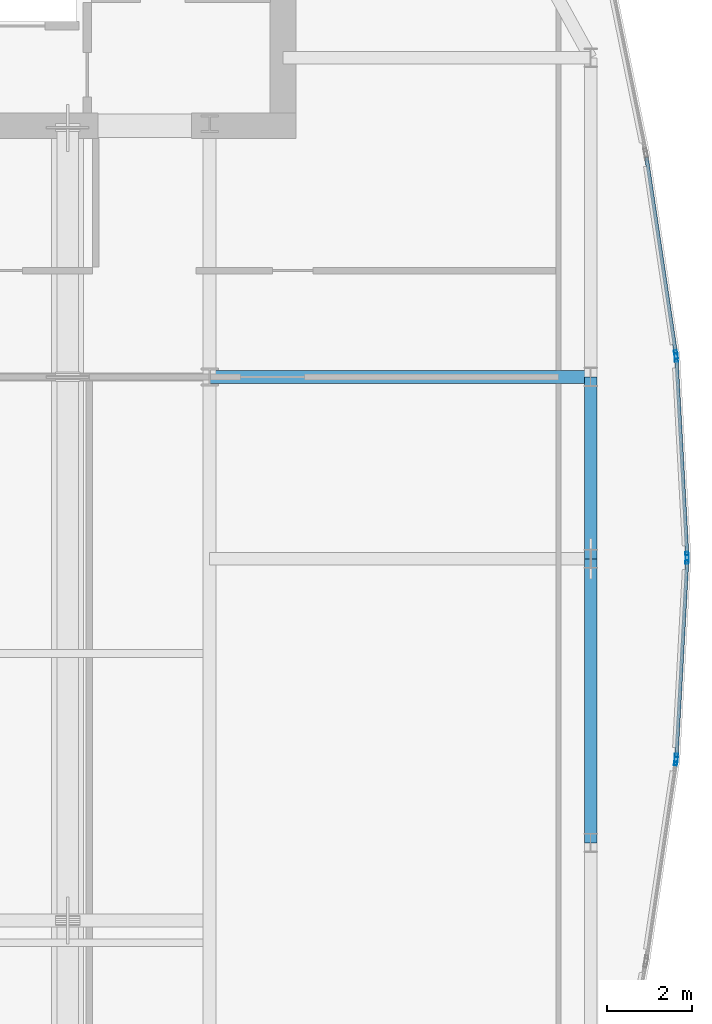
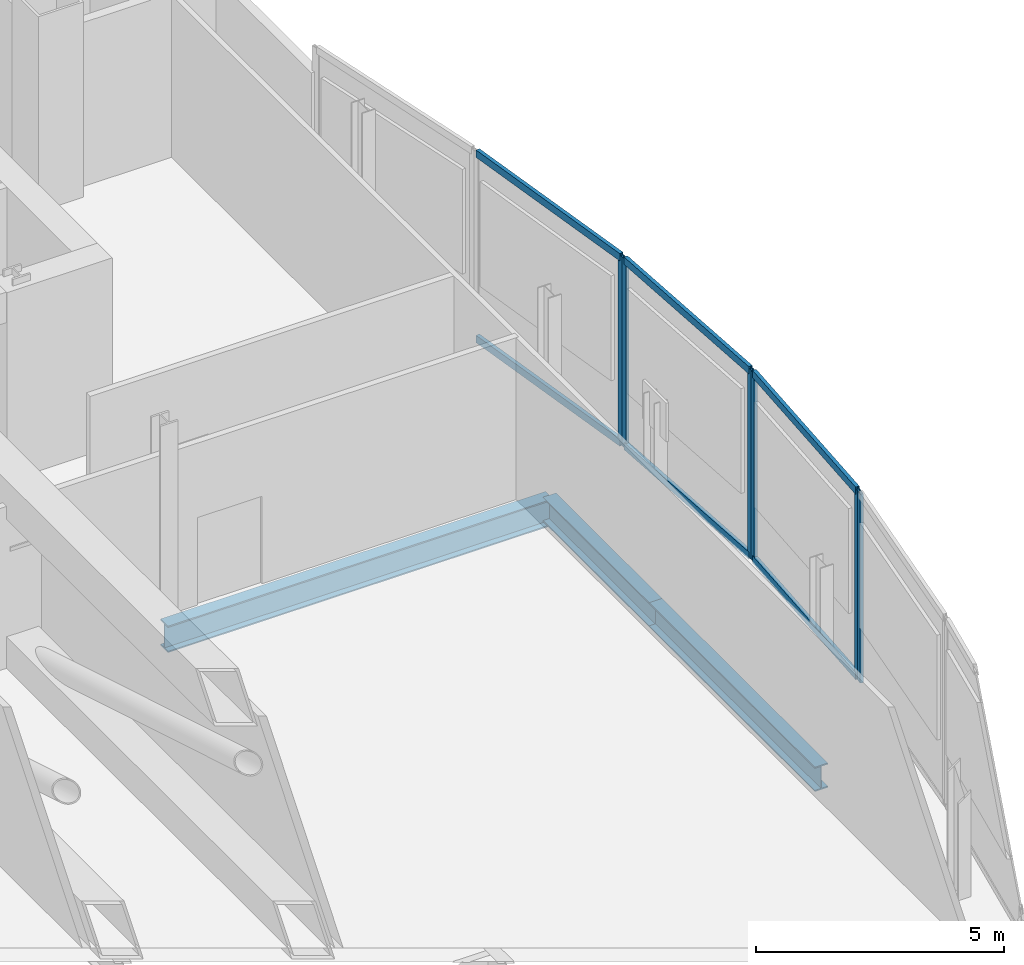
# One storey, part 20 of 32: 12 members, 3 beams, 4 elements without a shape of their own.
"""IFC4 building model written with IfcOpenShell, lengths in metres."""

from ifc_helpers import new_model, si_unit, direction, frame, origin, origin_2d, place, context, subcontext, project, spatial, hollow_rectangle, i_section, extrude, material, material_profile, profile_set, type_object, element, aggregate, save


model = new_model("IFC4")

# Units and contexts
model_context = context("Model", 3, precision=1e-05, world=origin(), true_north=direction((0.0, 1.0)))
body_context = subcontext(model_context, "Body", "Model", "MODEL_VIEW")
ifc_project = project(units=[si_unit("LENGTHUNIT", "METRE"), si_unit("AREAUNIT", "SQUARE_METRE"), si_unit("VOLUMEUNIT", "CUBIC_METRE"), si_unit("PLANEANGLEUNIT", "RADIAN"), si_unit("MASSUNIT", "GRAM", prefix="KILO")], contexts=[model_context])

# Site, building, storey
site_placement = place(None, origin())
site = spatial("IfcSite", under=ifc_project, at=site_placement, CompositionType="ELEMENT")
building_placement = place(site_placement, origin())
building = spatial("IfcBuilding", under=site, at=building_placement, Name="Khoronbel Lancet Exchange", CompositionType="ELEMENT")
storey_placement = place(building_placement, frame((0.0, 0.0, 257.0)))
storey = spatial("IfcBuildingStorey", under=building, at=storey_placement, Name="L66", CompositionType="ELEMENT", Elevation=257.0)

# Beams
ifc_material_1 = material(Name="Steel S355", Category="steel")
ifc_material_profile_1 = material_profile(ifc_material_1, i_section(OverallWidth=0.300048828125, OverallDepth=0.64990234375, WebThickness=0.01611328125, FlangeThickness=0.031005859375, at=origin_2d()), Name="HEB 650")
ifc_profile_set_1 = profile_set([ifc_material_profile_1], Name="Steel S355")
beam_type_1 = type_object("IfcBeamType", Name="BM-BG4", PredefinedType="BEAM", material=ifc_profile_set_1)
beam_1_placement = place(storey_placement, frame((54.675048828125, 35.699951171875, -0.544921875), z_axis=(1.0, 0.0, 0.0), x_axis=(0.0, 1.0, 0.0)))
element("IfcBeam", 1, at=beam_1_placement, inside=storey, type_object=beam_type_1, Name="Level L66 east lens tie girder LG4E", PredefinedType="BEAM", context=body_context, shape_type="SweptSolid", body=[
    extrude(i_section(OverallWidth=0.300048828125, OverallDepth=0.64990234375, WebThickness=0.01611328125, FlangeThickness=0.031005859375, at=origin_2d()), origin(), (0.0, 0.0, 1.0), 8.954833984375),
])
ifc_material_profile_2 = material_profile(ifc_material_1, i_section(OverallWidth=0.300048828125, OverallDepth=0.60009765625, WebThickness=0.015380859375, FlangeThickness=0.030029296875, at=origin_2d()), Name="HEB 600")
ifc_profile_set_2 = profile_set([ifc_material_profile_2], Name="Steel S355")
beam_type_2 = type_object("IfcBeamType", Name="BM-BSP2", PredefinedType="SPANDREL", material=ifc_profile_set_2)
beam_2_placement = place(storey_placement, frame((63.6298828125, 24.75, -0.52001953125), z_axis=(0.0, 1.0, 0.0), x_axis=(-1.0, 0.0, 0.0)))
element("IfcBeam", 2, at=beam_2_placement, inside=storey, type_object=beam_type_2, Name="Level L66 perimeter spandrel beam SP12", PredefinedType="SPANDREL", context=body_context, shape_type="SweptSolid", body=[
    extrude(i_section(OverallWidth=0.300048828125, OverallDepth=0.60009765625, WebThickness=0.015380859375, FlangeThickness=0.030029296875, at=origin_2d()), origin(), (0.0, 0.0, 1.0), 6.675048828125),
])
beam_3_placement = place(storey_placement, frame((63.6298828125, 31.425048828125, -0.52001953125), z_axis=(0.0, 1.0, 0.0), x_axis=(-1.0, 0.0, 0.0)))
element("IfcBeam", 3, at=beam_3_placement, inside=storey, type_object=beam_type_2, Name="Level L66 perimeter spandrel beam SP13", PredefinedType="SPANDREL", context=body_context, shape_type="SweptSolid", body=[
    extrude(i_section(OverallWidth=0.300048828125, OverallDepth=0.60009765625, WebThickness=0.015380859375, FlangeThickness=0.030029296875, at=origin_2d()), origin(), (0.0, 0.0, 1.0), 4.27490234375),
])

# Curtain wall, member
ifc_material_2 = material(Name="Low-E Solar Control Insulating Glass", Category="glass")
curtain_wall_type = type_object("IfcCurtainWallType", Name="CW-4", PredefinedType="NOTDEFINED", material=ifc_material_2)
curtain_wall_1_placement = place(storey_placement, origin())
curtain_wall_1 = element("IfcCurtainWall", 4, at=curtain_wall_1_placement, inside=storey, type_object=curtain_wall_type, Name="Unitised curtain wall CW-L66-E18", PredefinedType="NOTDEFINED")
ifc_material_3 = material(Name="Bronze-Anodised Aluminium 6063-T6", Category="aluminium")
ifc_material_profile_3 = material_profile(ifc_material_3, hollow_rectangle(XDim=0.074951171875, YDim=0.199951171875, WallThickness=0.0048828125, at=origin_2d()), Name="ALU MULLION 75x200")
ifc_profile_set_3 = profile_set([ifc_material_profile_3], Name="Bronze-Anodised Aluminium 6063-T6")
member_type_1 = type_object("IfcMemberType", Name="MEM-CWM2", PredefinedType="MULLION", material=ifc_profile_set_3)
member_1_placement = place(storey_placement, frame((65.634765625, 36.22802734375, 0.0), z_axis=(0.0, 0.0, 1.0), x_axis=(0.98900689676, 0.147869395619, 0.0)))
member_1 = element("IfcMember", 5, at=member_1_placement, type_object=member_type_1, Name="CW4 mullion 2", PredefinedType="MULLION", context=body_context, shape_type="SweptSolid", body=[
    extrude(hollow_rectangle(XDim=0.074951171875, YDim=0.199951171875, WallThickness=0.0048828125, at=origin_2d()), origin(), (0.0, 0.0, 1.0), 4.639892578125),
])

# Curtain wall, members
curtain_wall_2_placement = place(storey_placement, origin())
curtain_wall_2 = element("IfcCurtainWall", 6, at=curtain_wall_2_placement, inside=storey, type_object=curtain_wall_type, Name="Unitised curtain wall CW-L66-E19", PredefinedType="NOTDEFINED")
member_2_placement = place(storey_placement, frame((65.642333984375, 36.153564453125, 0.0), z_axis=(0.0, 0.0, 1.0), x_axis=(0.998506467903, 0.05463363027, 0.0)))
member_2 = element("IfcMember", 7, at=member_2_placement, type_object=member_type_1, Name="CW4 mullion 1", PredefinedType="MULLION", context=body_context, shape_type="SweptSolid", body=[
    extrude(hollow_rectangle(XDim=0.074951171875, YDim=0.199951171875, WallThickness=0.0048828125, at=origin_2d()), origin(), (0.0, 0.0, 1.0), 4.639892578125),
])
member_3_placement = place(storey_placement, frame((65.897705078125, 31.487548828125, 0.0), z_axis=(0.0, 0.0, 1.0), x_axis=(0.998506467903, 0.05463363027, 0.0)))
member_3 = element("IfcMember", 8, at=member_3_placement, type_object=member_type_1, Name="CW4 mullion 2", PredefinedType="MULLION", context=body_context, shape_type="SweptSolid", body=[
    extrude(hollow_rectangle(XDim=0.074951171875, YDim=0.199951171875, WallThickness=0.0048828125, at=origin_2d()), origin(), (0.0, 0.0, 1.0), 4.639892578125),
])

curtain_wall_3_placement = place(storey_placement, origin())
curtain_wall_3 = element("IfcCurtainWall", 9, at=curtain_wall_3_placement, inside=storey, type_object=curtain_wall_type, Name="Unitised curtain wall CW-L66-E20", PredefinedType="NOTDEFINED")
member_4_placement = place(storey_placement, frame((65.897705078125, 31.41259765625, 0.0), z_axis=(0.0, 0.0, 1.0), x_axis=(0.998506467903, -0.05463363027, 0.0)))
member_4 = element("IfcMember", 10, at=member_4_placement, type_object=member_type_1, Name="CW4 mullion 1", PredefinedType="MULLION", context=body_context, shape_type="SweptSolid", body=[
    extrude(hollow_rectangle(XDim=0.074951171875, YDim=0.199951171875, WallThickness=0.0048828125, at=origin_2d()), origin(), (0.0, 0.0, 1.0), 4.639892578125),
])
member_5_placement = place(storey_placement, frame((65.642333984375, 26.74658203125, 0.0), z_axis=(0.0, 0.0, 1.0), x_axis=(0.998506467903, -0.05463363027, 0.0)))
member_5 = element("IfcMember", 11, at=member_5_placement, type_object=member_type_1, Name="CW4 mullion 2", PredefinedType="MULLION", context=body_context, shape_type="SweptSolid", body=[
    extrude(hollow_rectangle(XDim=0.074951171875, YDim=0.199951171875, WallThickness=0.0048828125, at=origin_2d()), origin(), (0.0, 0.0, 1.0), 4.639892578125),
])

# Curtain wall, member
curtain_wall_4_placement = place(storey_placement, origin())
curtain_wall_4 = element("IfcCurtainWall", 12, at=curtain_wall_4_placement, inside=storey, type_object=curtain_wall_type, Name="Unitised curtain wall CW-L66-E21", PredefinedType="NOTDEFINED")
member_6_placement = place(storey_placement, frame((65.634765625, 26.672119140625, 0.0), z_axis=(0.0, 0.0, 1.0), x_axis=(0.98900689676, -0.147869395619, 0.0)))
member_6 = element("IfcMember", 13, at=member_6_placement, type_object=member_type_1, Name="CW4 mullion 1", PredefinedType="MULLION", context=body_context, shape_type="SweptSolid", body=[
    extrude(hollow_rectangle(XDim=0.074951171875, YDim=0.199951171875, WallThickness=0.0048828125, at=origin_2d()), origin(), (0.0, 0.0, 1.0), 4.639892578125),
])
aggregate(curtain_wall_4, [member_6])

# Member
ifc_material_profile_4 = material_profile(ifc_material_3, hollow_rectangle(XDim=0.0849609375, YDim=0.179931640625, WallThickness=0.0048828125, at=origin_2d()), Name="ALU TRANSOM 85x180")
ifc_profile_set_4 = profile_set([ifc_material_profile_4], Name="Bronze-Anodised Aluminium 6063-T6")
member_type_2 = type_object("IfcMemberType", Name="MEM-CWT1", PredefinedType="USERDEFINED", material=ifc_profile_set_4)
member_7_placement = place(storey_placement, frame((64.9423828125, 40.860107421875, 0.04248046875), z_axis=(0.147870201811, -0.989006776224, 0.0), x_axis=(0.989006776224, 0.147870201811, 0.0)))
member_7 = element("IfcMember", 14, at=member_7_placement, type_object=member_type_2, Name="CW4 transom 1.1", ObjectType="TRANSOM", PredefinedType="USERDEFINED", context=body_context, shape_type="SweptSolid", body=[
    extrude(hollow_rectangle(XDim=0.0849609375, YDim=0.179931640625, WallThickness=0.0048828125, at=origin_2d()), origin(), (0.0, 0.0, 1.0), 4.64599609375),
])

member_8_placement = place(storey_placement, frame((64.9423828125, 40.860107421875, 4.597412109375), z_axis=(0.147870201811, -0.989006776224, 0.0), x_axis=(0.989006776224, 0.147870201811, 0.0)))
member_8 = element("IfcMember", 15, at=member_8_placement, type_object=member_type_2, Name="CW4 transom 1.2", ObjectType="TRANSOM", PredefinedType="USERDEFINED", context=body_context, shape_type="SweptSolid", body=[
    extrude(hollow_rectangle(XDim=0.0849609375, YDim=0.179931640625, WallThickness=0.0048828125, at=origin_2d()), origin(), (0.0, 0.0, 1.0), 4.64599609375),
])

aggregate(curtain_wall_1, [member_1, member_7, member_8])

member_9_placement = place(storey_placement, frame((65.64453125, 36.115966796875, 0.04248046875), z_axis=(0.054637751843, -0.998506242381, 0.0), x_axis=(0.998506242381, 0.054637751843, 0.0)))
member_9 = element("IfcMember", 16, at=member_9_placement, type_object=member_type_2, Name="CW4 transom 1.1", ObjectType="TRANSOM", PredefinedType="USERDEFINED", context=body_context, shape_type="SweptSolid", body=[
    extrude(hollow_rectangle(XDim=0.0849609375, YDim=0.179931640625, WallThickness=0.0048828125, at=origin_2d()), origin(), (0.0, 0.0, 1.0), 4.597900390625),
])

member_10_placement = place(storey_placement, frame((65.64453125, 36.115966796875, 4.597412109375), z_axis=(0.054637751843, -0.998506242381, 0.0), x_axis=(0.998506242381, 0.054637751843, 0.0)))
member_10 = element("IfcMember", 17, at=member_10_placement, type_object=member_type_2, Name="CW4 transom 1.2", ObjectType="TRANSOM", PredefinedType="USERDEFINED", context=body_context, shape_type="SweptSolid", body=[
    extrude(hollow_rectangle(XDim=0.0849609375, YDim=0.179931640625, WallThickness=0.0048828125, at=origin_2d()), origin(), (0.0, 0.0, 1.0), 4.597900390625),
])

aggregate(curtain_wall_2, [member_2, member_3, member_9, member_10])

member_11_placement = place(storey_placement, frame((65.895751953125, 31.375, 0.04248046875), z_axis=(-0.054637751843, -0.998506242381, 0.0), x_axis=(0.998506242381, -0.054637751843, 0.0)))
member_11 = element("IfcMember", 18, at=member_11_placement, type_object=member_type_2, Name="CW4 transom 1.1", ObjectType="TRANSOM", PredefinedType="USERDEFINED", context=body_context, shape_type="SweptSolid", body=[
    extrude(hollow_rectangle(XDim=0.0849609375, YDim=0.179931640625, WallThickness=0.0048828125, at=origin_2d()), origin(), (0.0, 0.0, 1.0), 4.597900390625),
])

member_12_placement = place(storey_placement, frame((65.895751953125, 31.375, 4.597412109375), z_axis=(-0.054637751843, -0.998506242381, 0.0), x_axis=(0.998506242381, -0.054637751843, 0.0)))
member_12 = element("IfcMember", 19, at=member_12_placement, type_object=member_type_2, Name="CW4 transom 1.2", ObjectType="TRANSOM", PredefinedType="USERDEFINED", context=body_context, shape_type="SweptSolid", body=[
    extrude(hollow_rectangle(XDim=0.0849609375, YDim=0.179931640625, WallThickness=0.0048828125, at=origin_2d()), origin(), (0.0, 0.0, 1.0), 4.597900390625),
])

aggregate(curtain_wall_3, [member_4, member_5, member_11, member_12])

save(model, "model.ifc")
